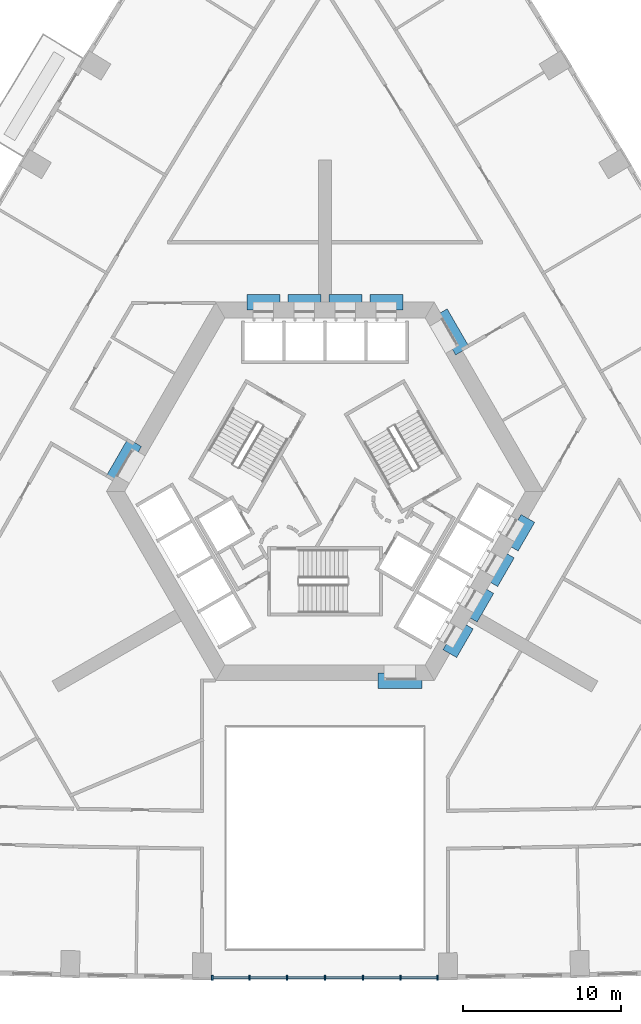
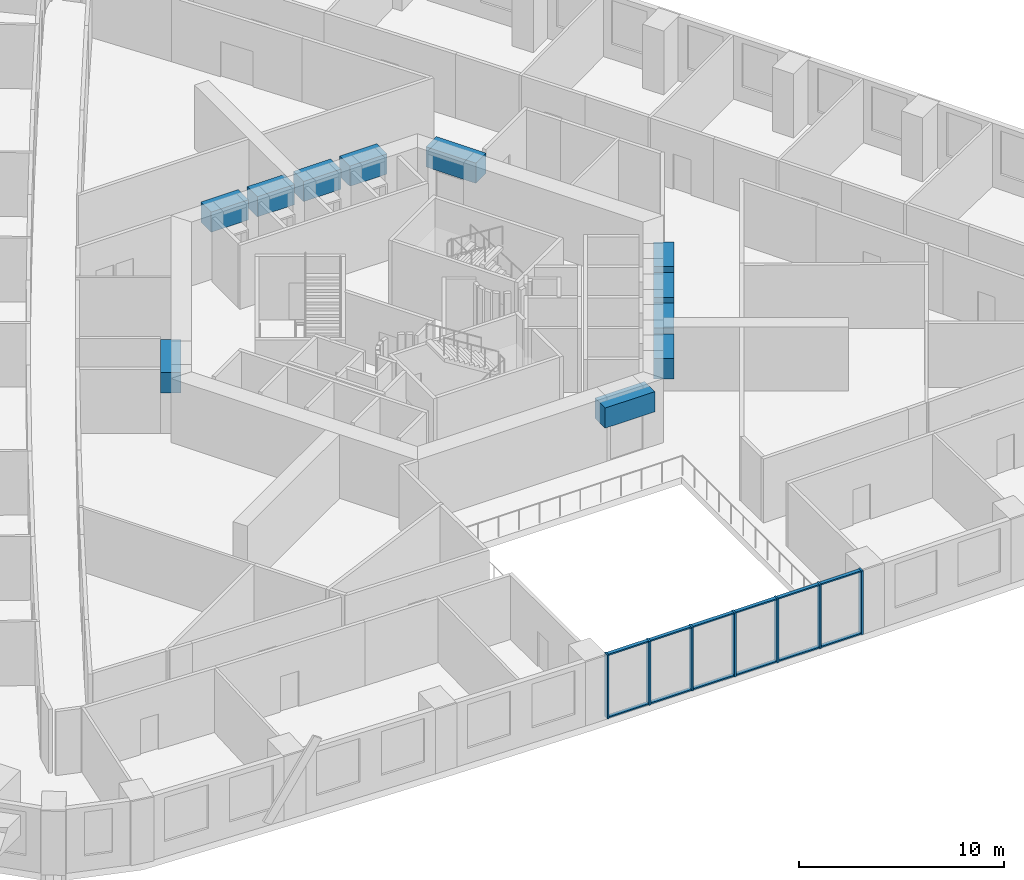
# One storey, part 2 of 16: 19 members, 11 beams, 1 element without a shape of its own.
"""IFC4 building model written with IfcOpenShell, lengths in metres."""

from ifc_helpers import new_model, si_unit, direction, frame, origin, origin_2d, place, context, subcontext, project, spatial, rectangle, extrude, material, material_profile, profile_set, type_object, element, aggregate, save


model = new_model("IFC4")

# Units and contexts
model_context = context("Model", 3, precision=1e-05, world=origin(), true_north=direction((0.0, 1.0)))
body_context = subcontext(model_context, "Body", "Model", "MODEL_VIEW")
ifc_project = project(units=[si_unit("LENGTHUNIT", "METRE"), si_unit("AREAUNIT", "SQUARE_METRE"), si_unit("VOLUMEUNIT", "CUBIC_METRE"), si_unit("PLANEANGLEUNIT", "RADIAN"), si_unit("MASSUNIT", "GRAM", prefix="KILO")], contexts=[model_context])

# Site, building, storey
site_placement = place(None, origin())
site = spatial("IfcSite", under=ifc_project, at=site_placement, CompositionType="ELEMENT")
building_placement = place(site_placement, origin())
building = spatial("IfcBuilding", under=site, at=building_placement, Name="Entoto Arch Interchange Tower", CompositionType="ELEMENT")
storey_placement = place(building_placement, frame((0.0, 0.0, 43.39990234375)))
storey = spatial("IfcBuildingStorey", under=building, at=storey_placement, Name="L08", CompositionType="ELEMENT", Elevation=43.39990234375)

# Beams
ifc_material_1 = material(Name="Concrete C60/75", Category="concrete")
ifc_material_profile_1 = material_profile(ifc_material_1, rectangle(XDim=1.0, YDim=1.199951171875, at=origin_2d()))
ifc_profile_set_1 = profile_set([ifc_material_profile_1], Name="Concrete C60/75")
beam_type = type_object("IfcBeamType", Name="Coupling beam RC 1000x1200 C60/75", PredefinedType="BEAM", material=ifc_profile_set_1)
beam_1_placement = place(storey_placement, frame((8.717041015625, 11.402099609375, 3.0), z_axis=(-0.500200581029, 0.865909567298, 0.0), x_axis=(-0.865909567298, -0.500200581029, 0.0)))
element("IfcBeam", 1, at=beam_1_placement, inside=storey, type_object=beam_type, Name="Coupling beam NE L08", PredefinedType="BEAM", context=body_context, shape_type="SweptSolid", body=[
    extrude(rectangle(XDim=1.0, YDim=1.199951171875, at=origin_2d()), origin(), (0.0, 0.0, 1.0), 2.799072265625),
])
beam_2_placement = place(storey_placement, frame((4.949951171875, 14.5, 3.0), z_axis=(-1.0, 0.0, 0.0), x_axis=(0.0, -1.0, 0.0)))
element("IfcBeam", 2, at=beam_2_placement, inside=storey, type_object=beam_type, Name="Coupling beam N L08", PredefinedType="BEAM", context=body_context, shape_type="SweptSolid", body=[
    extrude(rectangle(XDim=1.0, YDim=1.199951171875, at=origin_2d()), origin(), (0.0, 0.0, 1.0), 2.099853515625),
])
for number, where, z_axis, x_axis, name in (
    (3, (2.35009765625, 14.5, 3.0), (-1.0, 0.0, 0.0), (0.0, -1.0, 0.0), "Coupling beam N L08"),
    (4, (-0.25, 14.5, 3.0), (-1.0, 0.0, 0.0), (0.0, -1.0, 0.0), "Coupling beam N L08"),
):
    element("IfcBeam", number, at=place(storey_placement, frame(where, z_axis=z_axis, x_axis=x_axis)), inside=storey, type_object=beam_type, Name=name, PredefinedType="BEAM", context=body_context, shape_type="SweptSolid", body=[
        extrude(rectangle(XDim=1.0, YDim=1.199951171875, at=origin_2d()), origin(), (0.0, 0.0, 1.0), 2.10009765625),
    ])
beam_3_placement = place(storey_placement, frame((-2.85009765625, 14.5, 3.0), z_axis=(-1.0, 0.0, 0.0), x_axis=(0.0, -1.0, 0.0)))
element("IfcBeam", 5, at=beam_3_placement, inside=storey, type_object=beam_type, Name="Coupling beam N L08", PredefinedType="BEAM", context=body_context, shape_type="SweptSolid", body=[
    extrude(rectangle(XDim=1.0, YDim=1.199951171875, at=origin_2d()), origin(), (0.0, 0.0, 1.0), 2.099853515625),
])
beam_4_placement = place(storey_placement, frame((-12.06689453125, 5.597900390625, 3.0), z_axis=(-0.500200581029, -0.865909567298, 0.0), x_axis=(0.865909567298, -0.500200581029, 0.0)))
element("IfcBeam", 6, at=beam_4_placement, inside=storey, type_object=beam_type, Name="Coupling beam NW L08", PredefinedType="BEAM", context=body_context, shape_type="SweptSolid", body=[
    extrude(rectangle(XDim=1.0, YDim=1.199951171875, at=origin_2d()), origin(), (0.0, 0.0, 1.0), 2.799072265625),
])
beam_5_placement = place(storey_placement, frame((3.35009765625, -9.5, 3.0), z_axis=(1.0, 0.0, 0.0), x_axis=(0.0, 1.0, 0.0)))
element("IfcBeam", 7, at=beam_5_placement, inside=storey, type_object=beam_type, Name="Coupling beam S L08", PredefinedType="BEAM", context=body_context, shape_type="SweptSolid", body=[
    extrude(rectangle(XDim=1.0, YDim=1.199951171875, at=origin_2d()), origin(), (0.0, 0.0, 1.0), 2.7998046875),
])
for number, where, z_axis, x_axis, name in (
    (8, (7.9169921875, -7.785888671875, 3.0), (0.500178781653, 0.865922159541, 0.0), (-0.865922159541, 0.500178781653, 0.0), "Coupling beam SE L08"),
    (9, (9.217041015625, -5.534912109375, 3.0), (0.500178781653, 0.865922159541, 0.0), (-0.865922159541, 0.500178781653, 0.0), "Coupling beam SE L08"),
):
    element("IfcBeam", number, at=place(storey_placement, frame(where, z_axis=z_axis, x_axis=x_axis)), inside=storey, type_object=beam_type, Name=name, PredefinedType="BEAM", context=body_context, shape_type="SweptSolid", body=[
        extrude(rectangle(XDim=1.0, YDim=1.199951171875, at=origin_2d()), origin(), (0.0, 0.0, 1.0), 2.099365234375),
    ])
beam_6_placement = place(storey_placement, frame((10.51708984375, -3.282958984375, 3.0), z_axis=(0.500091574638, 0.865972526687, 0.0), x_axis=(-0.865972526687, 0.500091574638, 0.0)))
element("IfcBeam", 10, at=beam_6_placement, inside=storey, type_object=beam_type, Name="Coupling beam SE L08", PredefinedType="BEAM", context=body_context, shape_type="SweptSolid", body=[
    extrude(rectangle(XDim=1.0, YDim=1.199951171875, at=origin_2d()), origin(), (0.0, 0.0, 1.0), 2.09912109375),
])
beam_7_placement = place(storey_placement, frame((11.81689453125, -1.031982421875, 3.0), z_axis=(0.500178781653, 0.865922159541, 0.0), x_axis=(-0.865922159541, 0.500178781653, 0.0)))
element("IfcBeam", 11, at=beam_7_placement, inside=storey, type_object=beam_type, Name="Coupling beam SE L08", PredefinedType="BEAM", context=body_context, shape_type="SweptSolid", body=[
    extrude(rectangle(XDim=1.0, YDim=1.199951171875, at=origin_2d()), origin(), (0.0, 0.0, 1.0), 2.099365234375),
])

# Curtain wall, members
ifc_material_2 = material(Name="Aluminium, anodised", Category="aluminium")
curtain_wall_type = type_object("IfcCurtainWallType", Name="CURTAIN WALL ATRIUM", PredefinedType="NOTDEFINED", material=ifc_material_2)
curtain_wall_placement = place(storey_placement, origin())
curtain_wall = element("IfcCurtainWall", 12, at=curtain_wall_placement, inside=storey, type_object=curtain_wall_type, Name="Atrium glazing S-04 L08", PredefinedType="NOTDEFINED")
ifc_material_profile_2 = material_profile(ifc_material_2, rectangle(XDim=0.300048828125, YDim=0.10009765625, at=origin_2d()))
ifc_profile_set_2 = profile_set([ifc_material_profile_2], Name="Aluminium, anodised")
member_type_1 = type_object("IfcMemberType", Name="MULLION ATRIUM 100x300", PredefinedType="MULLION", material=ifc_profile_set_2)
member_1_placement = place(storey_placement, frame((-7.14794921875, -28.3330078125, 0.0), z_axis=(0.0, 0.0, 1.0), x_axis=(0.0, 1.0, 0.0)))
member_1 = element("IfcMember", 13, at=member_1_placement, type_object=member_type_1, Name="CWA mullion 1", PredefinedType="MULLION", context=body_context, shape_type="SweptSolid", body=[
    extrude(rectangle(XDim=0.300048828125, YDim=0.10009765625, at=origin_2d()), origin(), (0.0, 0.0, 1.0), 3.800048828125),
])
member_2_placement = place(storey_placement, frame((-4.798583984375, -28.3330078125, 0.0), z_axis=(0.0, 0.0, 1.0), x_axis=(0.0, 1.0, 0.0)))
member_2 = element("IfcMember", 14, at=member_2_placement, type_object=member_type_1, Name="CWA mullion 2", PredefinedType="MULLION", context=body_context, shape_type="SweptSolid", body=[
    extrude(rectangle(XDim=0.300048828125, YDim=0.10009765625, at=origin_2d()), origin(), (0.0, 0.0, 1.0), 3.800048828125),
])
member_3_placement = place(storey_placement, frame((-2.3994140625, -28.3330078125, 0.0), z_axis=(0.0, 0.0, 1.0), x_axis=(0.0, 1.0, 0.0)))
member_3 = element("IfcMember", 15, at=member_3_placement, type_object=member_type_1, Name="CWA mullion 3", PredefinedType="MULLION", context=body_context, shape_type="SweptSolid", body=[
    extrude(rectangle(XDim=0.300048828125, YDim=0.10009765625, at=origin_2d()), origin(), (0.0, 0.0, 1.0), 3.800048828125),
])
member_4_placement = place(storey_placement, frame((0.0, -28.3330078125, 0.0), z_axis=(0.0, 0.0, 1.0), x_axis=(0.0, 1.0, 0.0)))
member_4 = element("IfcMember", 16, at=member_4_placement, type_object=member_type_1, Name="CWA mullion 4", PredefinedType="MULLION", context=body_context, shape_type="SweptSolid", body=[
    extrude(rectangle(XDim=0.300048828125, YDim=0.10009765625, at=origin_2d()), origin(), (0.0, 0.0, 1.0), 3.800048828125),
])
member_5_placement = place(storey_placement, frame((2.3994140625, -28.3330078125, 0.0), z_axis=(0.0, 0.0, 1.0), x_axis=(0.0, 1.0, 0.0)))
member_5 = element("IfcMember", 17, at=member_5_placement, type_object=member_type_1, Name="CWA mullion 5", PredefinedType="MULLION", context=body_context, shape_type="SweptSolid", body=[
    extrude(rectangle(XDim=0.300048828125, YDim=0.10009765625, at=origin_2d()), origin(), (0.0, 0.0, 1.0), 3.800048828125),
])
member_6_placement = place(storey_placement, frame((4.798583984375, -28.3330078125, 0.0), z_axis=(0.0, 0.0, 1.0), x_axis=(0.0, 1.0, 0.0)))
member_6 = element("IfcMember", 18, at=member_6_placement, type_object=member_type_1, Name="CWA mullion 6", PredefinedType="MULLION", context=body_context, shape_type="SweptSolid", body=[
    extrude(rectangle(XDim=0.300048828125, YDim=0.10009765625, at=origin_2d()), origin(), (0.0, 0.0, 1.0), 3.800048828125),
])
member_7_placement = place(storey_placement, frame((7.14794921875, -28.3330078125, 0.0), z_axis=(0.0, 0.0, 1.0), x_axis=(0.0, 1.0, 0.0)))
member_7 = element("IfcMember", 19, at=member_7_placement, type_object=member_type_1, Name="CWA mullion 7", PredefinedType="MULLION", context=body_context, shape_type="SweptSolid", body=[
    extrude(rectangle(XDim=0.300048828125, YDim=0.10009765625, at=origin_2d()), origin(), (0.0, 0.0, 1.0), 3.800048828125),
])
ifc_material_profile_3 = material_profile(ifc_material_2, rectangle(XDim=0.199951171875, YDim=0.080078125, at=origin_2d()))
ifc_profile_set_3 = profile_set([ifc_material_profile_3], Name="Aluminium, anodised")
member_type_2 = type_object("IfcMemberType", Name="TRANSOM ATRIUM 80x200", PredefinedType="USERDEFINED", material=ifc_profile_set_3)
member_8_placement = place(storey_placement, frame((-7.097900390625, -28.3330078125, 0.0400390625), z_axis=(1.0, 0.0, 0.0), x_axis=(0.0, 1.0, 0.0)))
member_8 = element("IfcMember", 20, at=member_8_placement, type_object=member_type_2, Name="CWA transom 1.1", ObjectType="TRANSOM", PredefinedType="USERDEFINED", context=body_context, shape_type="SweptSolid", body=[
    extrude(rectangle(XDim=0.199951171875, YDim=0.080078125, at=origin_2d()), origin(), (0.0, 0.0, 1.0), 2.249267578125),
])
member_9_placement = place(storey_placement, frame((-7.097900390625, -28.3330078125, 3.760009765625), z_axis=(1.0, 0.0, 0.0), x_axis=(0.0, 1.0, 0.0)))
member_9 = element("IfcMember", 21, at=member_9_placement, type_object=member_type_2, Name="CWA transom 1.2", ObjectType="TRANSOM", PredefinedType="USERDEFINED", context=body_context, shape_type="SweptSolid", body=[
    extrude(rectangle(XDim=0.199951171875, YDim=0.080078125, at=origin_2d()), origin(), (0.0, 0.0, 1.0), 2.249267578125),
])
member_10_placement = place(storey_placement, frame((-4.748779296875, -28.3330078125, 0.0400390625), z_axis=(1.0, 0.0, 0.0), x_axis=(0.0, 1.0, 0.0)))
member_10 = element("IfcMember", 22, at=member_10_placement, type_object=member_type_2, Name="CWA transom 2.1", ObjectType="TRANSOM", PredefinedType="USERDEFINED", context=body_context, shape_type="SweptSolid", body=[
    extrude(rectangle(XDim=0.199951171875, YDim=0.080078125, at=origin_2d()), origin(), (0.0, 0.0, 1.0), 2.299560546875),
])
member_11_placement = place(storey_placement, frame((-4.748779296875, -28.3330078125, 3.760009765625), z_axis=(1.0, 0.0, 0.0), x_axis=(0.0, 1.0, 0.0)))
member_11 = element("IfcMember", 23, at=member_11_placement, type_object=member_type_2, Name="CWA transom 2.2", ObjectType="TRANSOM", PredefinedType="USERDEFINED", context=body_context, shape_type="SweptSolid", body=[
    extrude(rectangle(XDim=0.199951171875, YDim=0.080078125, at=origin_2d()), origin(), (0.0, 0.0, 1.0), 2.299560546875),
])
member_12_placement = place(storey_placement, frame((-2.349365234375, -28.3330078125, 0.0400390625), z_axis=(1.0, 0.0, 0.0), x_axis=(0.0, 1.0, 0.0)))
member_12 = element("IfcMember", 24, at=member_12_placement, type_object=member_type_2, Name="CWA transom 3.1", ObjectType="TRANSOM", PredefinedType="USERDEFINED", context=body_context, shape_type="SweptSolid", body=[
    extrude(rectangle(XDim=0.199951171875, YDim=0.080078125, at=origin_2d()), origin(), (0.0, 0.0, 1.0), 2.29931640625),
])
member_13_placement = place(storey_placement, frame((-2.349365234375, -28.3330078125, 3.760009765625), z_axis=(1.0, 0.0, 0.0), x_axis=(0.0, 1.0, 0.0)))
member_13 = element("IfcMember", 25, at=member_13_placement, type_object=member_type_2, Name="CWA transom 3.2", ObjectType="TRANSOM", PredefinedType="USERDEFINED", context=body_context, shape_type="SweptSolid", body=[
    extrude(rectangle(XDim=0.199951171875, YDim=0.080078125, at=origin_2d()), origin(), (0.0, 0.0, 1.0), 2.29931640625),
])
member_14_placement = place(storey_placement, frame((0.050048828125, -28.3330078125, 0.0400390625), z_axis=(1.0, 0.0, 0.0), x_axis=(0.0, 1.0, 0.0)))
member_14 = element("IfcMember", 26, at=member_14_placement, type_object=member_type_2, Name="CWA transom 4.1", ObjectType="TRANSOM", PredefinedType="USERDEFINED", context=body_context, shape_type="SweptSolid", body=[
    extrude(rectangle(XDim=0.199951171875, YDim=0.080078125, at=origin_2d()), origin(), (0.0, 0.0, 1.0), 2.29931640625),
])
member_15_placement = place(storey_placement, frame((0.050048828125, -28.3330078125, 3.760009765625), z_axis=(1.0, 0.0, 0.0), x_axis=(0.0, 1.0, 0.0)))
member_15 = element("IfcMember", 27, at=member_15_placement, type_object=member_type_2, Name="CWA transom 4.2", ObjectType="TRANSOM", PredefinedType="USERDEFINED", context=body_context, shape_type="SweptSolid", body=[
    extrude(rectangle(XDim=0.199951171875, YDim=0.080078125, at=origin_2d()), origin(), (0.0, 0.0, 1.0), 2.29931640625),
])
member_16_placement = place(storey_placement, frame((2.44921875, -28.3330078125, 0.0400390625), z_axis=(1.0, 0.0, 0.0), x_axis=(0.0, 1.0, 0.0)))
member_16 = element("IfcMember", 28, at=member_16_placement, type_object=member_type_2, Name="CWA transom 5.1", ObjectType="TRANSOM", PredefinedType="USERDEFINED", context=body_context, shape_type="SweptSolid", body=[
    extrude(rectangle(XDim=0.199951171875, YDim=0.080078125, at=origin_2d()), origin(), (0.0, 0.0, 1.0), 2.299560546875),
])
member_17_placement = place(storey_placement, frame((2.44921875, -28.3330078125, 3.760009765625), z_axis=(1.0, 0.0, 0.0), x_axis=(0.0, 1.0, 0.0)))
member_17 = element("IfcMember", 29, at=member_17_placement, type_object=member_type_2, Name="CWA transom 5.2", ObjectType="TRANSOM", PredefinedType="USERDEFINED", context=body_context, shape_type="SweptSolid", body=[
    extrude(rectangle(XDim=0.199951171875, YDim=0.080078125, at=origin_2d()), origin(), (0.0, 0.0, 1.0), 2.299560546875),
])
member_18_placement = place(storey_placement, frame((4.8486328125, -28.3330078125, 0.0400390625), z_axis=(1.0, 0.0, 0.0), x_axis=(0.0, 1.0, 0.0)))
member_18 = element("IfcMember", 30, at=member_18_placement, type_object=member_type_2, Name="CWA transom 6.1", ObjectType="TRANSOM", PredefinedType="USERDEFINED", context=body_context, shape_type="SweptSolid", body=[
    extrude(rectangle(XDim=0.199951171875, YDim=0.080078125, at=origin_2d()), origin(), (0.0, 0.0, 1.0), 2.249267578125),
])
member_19_placement = place(storey_placement, frame((4.8486328125, -28.3330078125, 3.760009765625), z_axis=(1.0, 0.0, 0.0), x_axis=(0.0, 1.0, 0.0)))
member_19 = element("IfcMember", 31, at=member_19_placement, type_object=member_type_2, Name="CWA transom 6.2", ObjectType="TRANSOM", PredefinedType="USERDEFINED", context=body_context, shape_type="SweptSolid", body=[
    extrude(rectangle(XDim=0.199951171875, YDim=0.080078125, at=origin_2d()), origin(), (0.0, 0.0, 1.0), 2.249267578125),
])
aggregate(curtain_wall, [member_1, member_2, member_3, member_4, member_5, member_6, member_7, member_8, member_9, member_10, member_11, member_12, member_13, member_14, member_15, member_16, member_17, member_18, member_19])

save(model, "model.ifc")
